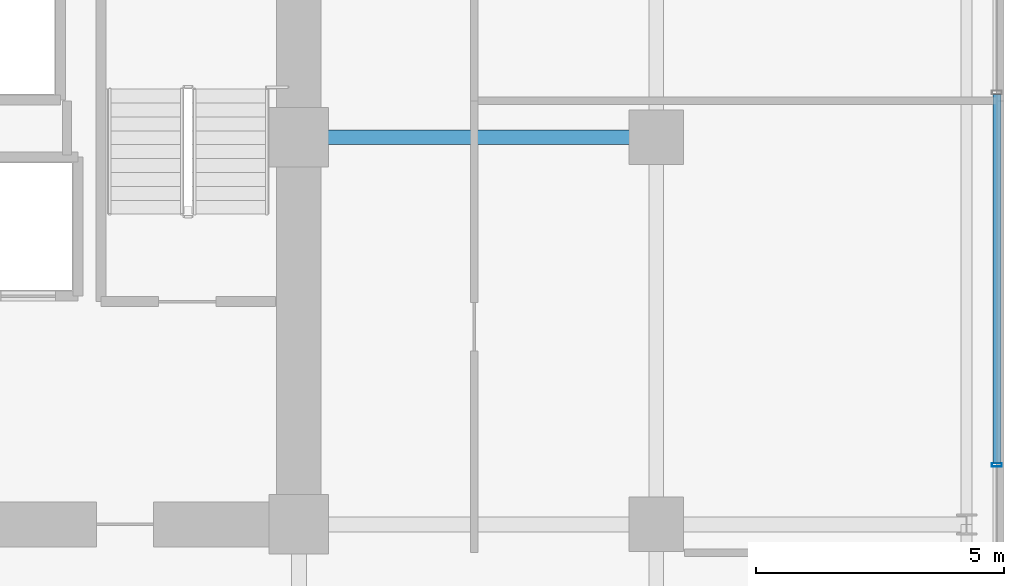
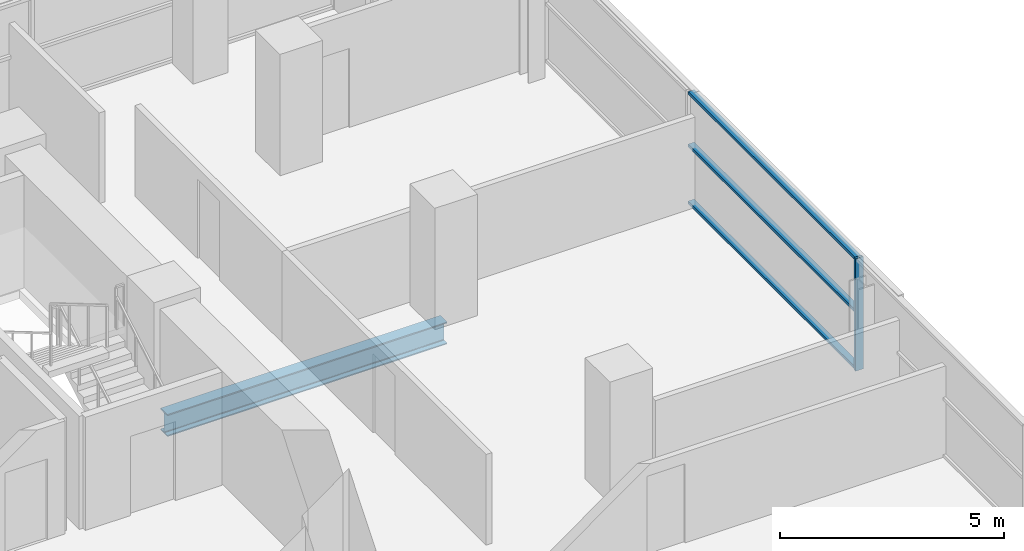
# One storey, part 15 of 30: 4 members, 1 beam, 1 element without a shape of its own.
"""IFC4 building model written with IfcOpenShell, lengths in metres."""

from ifc_helpers import new_model, si_unit, direction, frame, origin, origin_2d, place, context, subcontext, project, spatial, hollow_rectangle, i_section, extrude, source, transform, mapped, material, layer, layer_set, material_profile, profile_set, type_object, element, aggregate, save


model = new_model("IFC4")

# Units and contexts
model_context = context("Model", 3, precision=1e-05, world=origin(), true_north=direction((0.0, 1.0)))
body_context = subcontext(model_context, "Body", "Model", "MODEL_VIEW")
ifc_project = project(units=[si_unit("LENGTHUNIT", "METRE"), si_unit("AREAUNIT", "SQUARE_METRE"), si_unit("VOLUMEUNIT", "CUBIC_METRE"), si_unit("PLANEANGLEUNIT", "RADIAN"), si_unit("MASSUNIT", "GRAM", prefix="KILO")], contexts=[model_context])

# Site, building, storey
site_placement = place(None, origin())
site = spatial("IfcSite", under=ifc_project, at=site_placement, CompositionType="ELEMENT")
building_placement = place(site_placement, origin())
building = spatial("IfcBuilding", under=site, at=building_placement, Name="Zarnakvel Exchange Tower", CompositionType="ELEMENT")
storey_placement = place(building_placement, frame((0.0, 0.0, 34.0)))
storey = spatial("IfcBuildingStorey", under=building, at=storey_placement, Name="L08", CompositionType="ELEMENT", Elevation=34.0)

# Beam
ifc_material_1 = material(Name="Steel S355", Category="steel")
ifc_material_profile_1 = material_profile(ifc_material_1, i_section(OverallWidth=0.300048828125, OverallDepth=0.60009765625, WebThickness=0.015380859375, FlangeThickness=0.030029296875, FilletRadius=0.027099609375, at=origin_2d()))
ifc_profile_set_1 = profile_set([ifc_material_profile_1], Name="Steel S355")
beam_type = type_object("IfcBeamType", Name="G-04", PredefinedType="BEAM", material=ifc_profile_set_1)
beam_placement = place(storey_placement, frame((14.39990234375, 6.60009765625, -0.52490234375), z_axis=(1.0, 0.0, 0.0), x_axis=(0.0, 1.0, 0.0)))
element("IfcBeam", 1, at=beam_placement, inside=storey, type_object=beam_type, Name="L08 Tower E-W Frame Beam", PredefinedType="BEAM", context=body_context, shape_type="SweptSolid", body=[
    extrude(i_section(OverallWidth=0.300048828125, OverallDepth=0.60009765625, WebThickness=0.015380859375, FlangeThickness=0.030029296875, FilletRadius=0.027099609375, at=origin_2d()), origin(), (0.0, 0.0, 1.0), 7.2001953125),
])

# Curtain wall, members
ifc_material_2 = material(Name="Architectural Bronze Anodised Aluminium", Category="aluminium")
ifc_layer = layer(ifc_material_2, 0.199951171875)
ifc_layer_set = layer_set([ifc_layer], Name="Architectural Bronze Anodised Aluminium")
curtain_wall_type = type_object("IfcCurtainWallType", Name="CW-04", PredefinedType="NOTDEFINED", material=ifc_layer_set)
curtain_wall_placement = place(storey_placement, origin())
curtain_wall = element("IfcCurtainWall", 2, at=curtain_wall_placement, inside=storey, type_object=curtain_wall_type, Name="L08 Curtain Wall CW-L08-E1 (CW-04)", PredefinedType="NOTDEFINED")
ifc_material_profile_2 = material_profile(ifc_material_2, hollow_rectangle(XDim=0.159912109375, YDim=0.074951171875, WallThickness=0.00390625, at=origin_2d()))
ifc_profile_set_2 = profile_set([ifc_material_profile_2], Name="Architectural Bronze Anodised Aluminium")
member_type_1 = type_object("IfcMemberType", Name="CWT-04", PredefinedType="USERDEFINED", material=ifc_profile_set_2)
shared_shape_1 = source(origin(), body_context, "Body", "SweptSolid", [
    extrude(hollow_rectangle(XDim=0.159912109375, YDim=0.074951171875, WallThickness=0.00390625, at=origin_2d()), origin(), (0.0, 0.0, 1.0), 7.4248046875),
])
member_1_placement = place(storey_placement, frame((28.4599609375, 0.03759765625, 0.03759765625), z_axis=(0.0, 1.0, 0.0), x_axis=(-1.0, 0.0, 0.0)))
member_1 = element("IfcMember", 3, at=member_1_placement, type_object=member_type_1, Name="CW-04 transom 3.1", ObjectType="TRANSOM", PredefinedType="USERDEFINED", context=body_context, shape_type="MappedRepresentation", body=[
    mapped(shared_shape_1, transform((0.0, 0.0, 0.0), x_axis=(1.0, 0.0, 0.0), y_axis=(0.0, 1.0, 0.0), z_axis=(0.0, 0.0, 1.0), scale=1.0)),
])
member_2_placement = place(storey_placement, frame((28.4599609375, 0.03759765625, 1.588623046875), z_axis=(0.0, 1.0, 0.0), x_axis=(-1.0, 0.0, 0.0)))
member_2 = element("IfcMember", 4, at=member_2_placement, type_object=member_type_1, Name="CW-04 transom 3.2", ObjectType="TRANSOM", PredefinedType="USERDEFINED", context=body_context, shape_type="MappedRepresentation", body=[
    mapped(shared_shape_1, transform((0.0, 0.0, 0.0), x_axis=(1.0, 0.0, 0.0), y_axis=(0.0, 1.0, 0.0), z_axis=(0.0, 0.0, 1.0), scale=1.0)),
])
member_3_placement = place(storey_placement, frame((28.4599609375, 0.03759765625, 3.017578125), z_axis=(0.0, 1.0, 0.0), x_axis=(-1.0, 0.0, 0.0)))
member_3 = element("IfcMember", 5, at=member_3_placement, type_object=member_type_1, Name="CW-04 transom 3.3", ObjectType="TRANSOM", PredefinedType="USERDEFINED", context=body_context, shape_type="MappedRepresentation", body=[
    mapped(shared_shape_1, transform((0.0, 0.0, 0.0), x_axis=(1.0, 0.0, 0.0), y_axis=(0.0, 1.0, 0.0), z_axis=(0.0, 0.0, 1.0), scale=1.0)),
])
ifc_material_profile_3 = material_profile(ifc_material_2, hollow_rectangle(XDim=0.199951171875, YDim=0.074951171875, WallThickness=0.0048828125, at=origin_2d()))
ifc_profile_set_3 = profile_set([ifc_material_profile_3], Name="Architectural Bronze Anodised Aluminium")
member_type_2 = type_object("IfcMemberType", Name="CWM-04", PredefinedType="MULLION", material=ifc_profile_set_3)
shared_shape_2 = source(origin(), body_context, "Body", "SweptSolid", [
    extrude(hollow_rectangle(XDim=0.199951171875, YDim=0.074951171875, WallThickness=0.0048828125, at=origin_2d()), origin(), (0.0, 0.0, 1.0), 3.054931640625),
])
member_4_placement = place(storey_placement, frame((28.4599609375, 0.0, 0.0), z_axis=(0.0, 0.0, 1.0), x_axis=(-1.0, 0.0, 0.0)))
member_4 = element("IfcMember", 6, at=member_4_placement, type_object=member_type_2, Name="CW-04 mullion 3", PredefinedType="MULLION", context=body_context, shape_type="MappedRepresentation", body=[
    mapped(shared_shape_2, transform((0.0, 0.0, 0.0), x_axis=(1.0, 0.0, 0.0), y_axis=(0.0, 1.0, 0.0), z_axis=(0.0, 0.0, 1.0), scale=1.0)),
])
aggregate(curtain_wall, [member_4, member_1, member_2, member_3])

save(model, "model.ifc")
